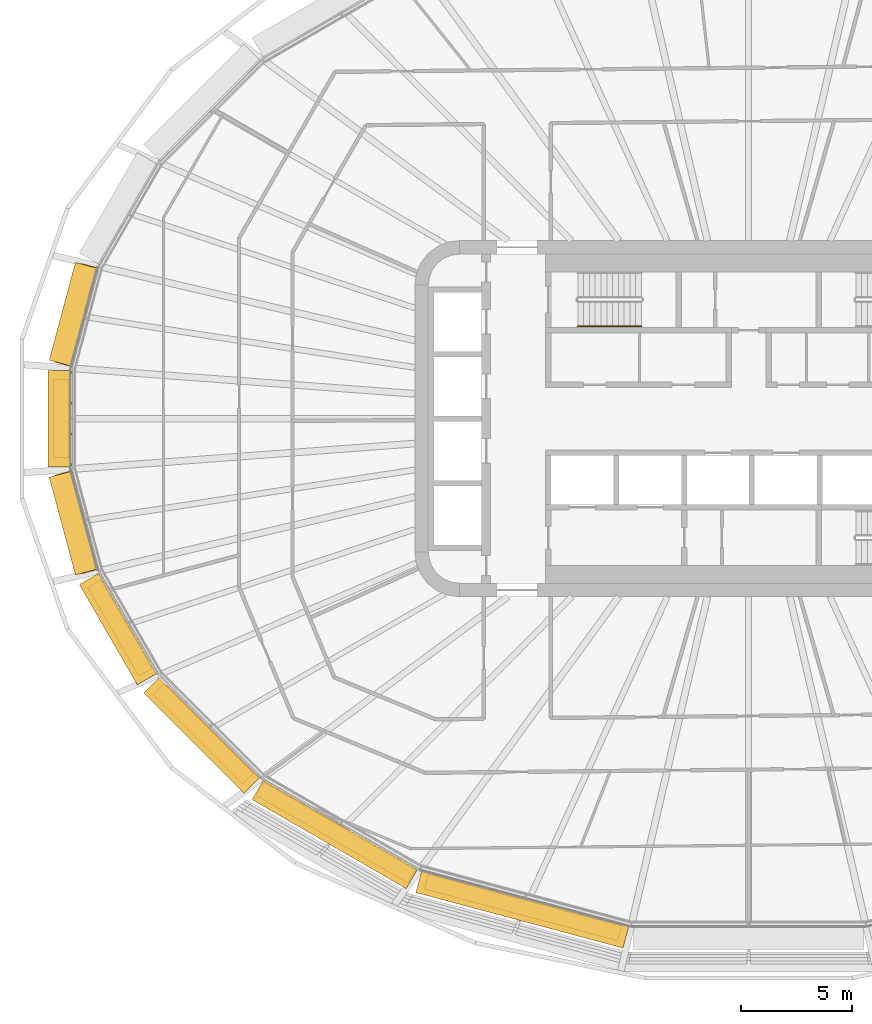
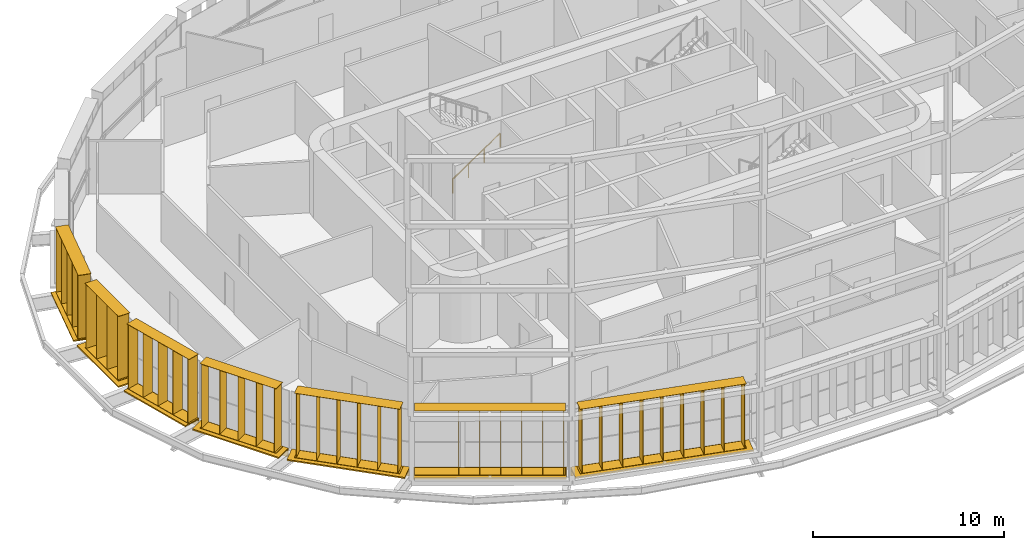
# One storey, part 18 of 23: 14 shading devices, 1 railing.
"""IFC4 building model written with IfcOpenShell, lengths in metres."""

from ifc_helpers import new_model, si_unit, direction, frame, origin, origin_2d, place, context, subcontext, project, spatial, rectangle, circle, extrude, material, type_object, element, save


model = new_model("IFC4")

# Units and contexts
model_context = context("Model", 3, precision=1e-05, world=origin(), true_north=direction((0.0, 1.0)))
body_context = subcontext(model_context, "Body", "Model", "MODEL_VIEW")
ifc_project = project(units=[si_unit("LENGTHUNIT", "METRE"), si_unit("AREAUNIT", "SQUARE_METRE"), si_unit("VOLUMEUNIT", "CUBIC_METRE"), si_unit("PLANEANGLEUNIT", "RADIAN"), si_unit("MASSUNIT", "GRAM", prefix="KILO")], contexts=[model_context])

# Site, building, storey
site_placement = place(None, origin())
site = spatial("IfcSite", under=ifc_project, at=site_placement, CompositionType="ELEMENT")
building_placement = place(site_placement, origin())
building = spatial("IfcBuilding", under=site, at=building_placement, Name="Sahrelin Media Tower", CompositionType="ELEMENT")
storey_placement = place(building_placement, frame((0.0, 0.0, 54.60009765625)))
storey = spatial("IfcBuildingStorey", under=building, at=storey_placement, Name="L08", CompositionType="ELEMENT", Elevation=54.60009765625)

# Shading devices
ifc_material_1 = material(Name="Champagne anodised aluminium 6063-T6", Category="aluminium")
shading_device_type_1 = type_object("IfcShadingDeviceType", Name="Fin cassette", PredefinedType="USERDEFINED", material=ifc_material_1)
placement_1 = place(storey_placement, frame((-29.859619140625, 4.562744140625, 0.0), z_axis=(0.0, 0.0, 1.0), x_axis=(0.258807731996, 0.965928857556, 0.0)))
element("IfcShadingDevice", 1, at=placement_1, inside=storey, type_object=shading_device_type_1, Name="L08:FIN:L08-11", ObjectType="FIN", PredefinedType="USERDEFINED", context=body_context, shape_type="SweptSolid", body=[
    extrude(rectangle(XDim=4.60009765625, YDim=0.699951171875, at=origin_2d()), frame((0.0, 0.419921875, 0.0)), (0.0, 0.0, 1.0), 0.02001953125),
    extrude(rectangle(XDim=4.60009765625, YDim=0.699951171875, at=origin_2d()), frame((0.0, 0.419921875, 4.10009765625)), (0.0, 0.0, 1.0), 0.02001953125),
    extrude(rectangle(XDim=0.02001953125, YDim=0.699951171875, at=origin_2d()), frame((-2.199951171875, 0.419921875, 0.010009765625), z_axis=(0.0, 0.0, 1.0), x_axis=(1.0, 0.0, 0.0)), (0.0, 0.0, 1.0), 4.10009765625),
    extrude(rectangle(XDim=0.02001953125, YDim=0.699951171875, at=origin_2d()), frame((-1.10009765625, 0.419921875, 0.010009765625), z_axis=(0.0, 0.0, 1.0), x_axis=(1.0, 0.0, 0.0)), (0.0, 0.0, 1.0), 4.10009765625),
    extrude(rectangle(XDim=0.02001953125, YDim=0.699951171875, at=origin_2d()), frame((0.0, 0.419921875, 0.010009765625), z_axis=(0.0, 0.0, 1.0), x_axis=(1.0, 0.0, 0.0)), (0.0, 0.0, 1.0), 4.10009765625),
    extrude(rectangle(XDim=0.02001953125, YDim=0.699951171875, at=origin_2d()), frame((1.10009765625, 0.419921875, 0.010009765625), z_axis=(0.0, 0.0, 1.0), x_axis=(1.0, 0.0, 0.0)), (0.0, 0.0, 1.0), 4.10009765625),
    extrude(rectangle(XDim=0.02001953125, YDim=0.699951171875, at=origin_2d()), frame((2.199951171875, 0.419921875, 0.010009765625), z_axis=(0.0, 0.0, 1.0), x_axis=(1.0, 0.0, 0.0)), (0.0, 0.0, 1.0), 4.10009765625),
])
placement_2 = place(storey_placement, frame((-30.47412109375, 0.0, 0.0), z_axis=(0.0, 0.0, 1.0), x_axis=(0.0, 1.0, 0.0)))
element("IfcShadingDevice", 2, at=placement_2, inside=storey, type_object=shading_device_type_1, Name="L08:FIN:L08-12", ObjectType="FIN", PredefinedType="USERDEFINED", context=body_context, shape_type="SweptSolid", body=[
    extrude(rectangle(XDim=3.5, YDim=0.699951171875, at=origin_2d()), frame((0.0, 0.419921875, 0.0)), (0.0, 0.0, 1.0), 0.02001953125),
    extrude(rectangle(XDim=3.5, YDim=0.699951171875, at=origin_2d()), frame((0.0, 0.419921875, 4.10009765625)), (0.0, 0.0, 1.0), 0.02001953125),
    extrude(rectangle(XDim=0.02001953125, YDim=0.699951171875, at=origin_2d()), frame((-1.64990234375, 0.419921875, 0.010009765625), z_axis=(0.0, 0.0, 1.0), x_axis=(1.0, 0.0, 0.0)), (0.0, 0.0, 1.0), 4.10009765625),
    extrude(rectangle(XDim=0.02001953125, YDim=0.699951171875, at=origin_2d()), frame((-0.550048828125, 0.419921875, 0.010009765625), z_axis=(0.0, 0.0, 1.0), x_axis=(1.0, 0.0, 0.0)), (0.0, 0.0, 1.0), 4.10009765625),
    extrude(rectangle(XDim=0.02001953125, YDim=0.699951171875, at=origin_2d()), frame((0.550048828125, 0.419921875, 0.010009765625), z_axis=(0.0, 0.0, 1.0), x_axis=(1.0, 0.0, 0.0)), (0.0, 0.0, 1.0), 4.10009765625),
    extrude(rectangle(XDim=0.02001953125, YDim=0.699951171875, at=origin_2d()), frame((1.64990234375, 0.419921875, 0.010009765625), z_axis=(0.0, 0.0, 1.0), x_axis=(1.0, 0.0, 0.0)), (0.0, 0.0, 1.0), 4.10009765625),
])
placement_3 = place(storey_placement, frame((-29.859619140625, -4.562744140625, 0.0), z_axis=(0.0, 0.0, 1.0), x_axis=(-0.258807731996, 0.965928857556, 0.0)))
element("IfcShadingDevice", 3, at=placement_3, inside=storey, type_object=shading_device_type_1, Name="L08:FIN:L08-13", ObjectType="FIN", PredefinedType="USERDEFINED", context=body_context, shape_type="SweptSolid", body=[
    extrude(rectangle(XDim=4.60009765625, YDim=0.699951171875, at=origin_2d()), frame((0.0, 0.419921875, 0.0)), (0.0, 0.0, 1.0), 0.02001953125),
    extrude(rectangle(XDim=4.60009765625, YDim=0.699951171875, at=origin_2d()), frame((0.0, 0.419921875, 4.10009765625)), (0.0, 0.0, 1.0), 0.02001953125),
    extrude(rectangle(XDim=0.02001953125, YDim=0.699951171875, at=origin_2d()), frame((-2.199951171875, 0.419921875, 0.010009765625), z_axis=(0.0, 0.0, 1.0), x_axis=(1.0, 0.0, 0.0)), (0.0, 0.0, 1.0), 4.10009765625),
    extrude(rectangle(XDim=0.02001953125, YDim=0.699951171875, at=origin_2d()), frame((-1.10009765625, 0.419921875, 0.010009765625), z_axis=(0.0, 0.0, 1.0), x_axis=(1.0, 0.0, 0.0)), (0.0, 0.0, 1.0), 4.10009765625),
    extrude(rectangle(XDim=0.02001953125, YDim=0.699951171875, at=origin_2d()), frame((0.0, 0.419921875, 0.010009765625), z_axis=(0.0, 0.0, 1.0), x_axis=(1.0, 0.0, 0.0)), (0.0, 0.0, 1.0), 4.10009765625),
    extrude(rectangle(XDim=0.02001953125, YDim=0.699951171875, at=origin_2d()), frame((1.10009765625, 0.419921875, 0.010009765625), z_axis=(0.0, 0.0, 1.0), x_axis=(1.0, 0.0, 0.0)), (0.0, 0.0, 1.0), 4.10009765625),
    extrude(rectangle(XDim=0.02001953125, YDim=0.699951171875, at=origin_2d()), frame((2.199951171875, 0.419921875, 0.010009765625), z_axis=(0.0, 0.0, 1.0), x_axis=(1.0, 0.0, 0.0)), (0.0, 0.0, 1.0), 4.10009765625),
])
placement_4 = place(storey_placement, frame((-27.893798828125, -9.196533203125, 0.0), z_axis=(0.0, 0.0, 1.0), x_axis=(-0.500011000363, 0.866019052629, 0.0)))
element("IfcShadingDevice", 4, at=placement_4, inside=storey, type_object=shading_device_type_1, Name="L08:FIN:L08-14", ObjectType="FIN", PredefinedType="USERDEFINED", context=body_context, shape_type="SweptSolid", body=[
    extrude(rectangle(XDim=4.60009765625, YDim=0.699951171875, at=origin_2d()), frame((0.0, 0.419921875, 0.0)), (0.0, 0.0, 1.0), 0.02001953125),
    extrude(rectangle(XDim=4.60009765625, YDim=0.699951171875, at=origin_2d()), frame((0.0, 0.419921875, 4.10009765625)), (0.0, 0.0, 1.0), 0.02001953125),
    extrude(rectangle(XDim=0.02001953125, YDim=0.699951171875, at=origin_2d()), frame((-2.199951171875, 0.419921875, 0.010009765625), z_axis=(0.0, 0.0, 1.0), x_axis=(1.0, 0.0, 0.0)), (0.0, 0.0, 1.0), 4.10009765625),
    extrude(rectangle(XDim=0.02001953125, YDim=0.699951171875, at=origin_2d()), frame((-1.10009765625, 0.419921875, 0.010009765625), z_axis=(0.0, 0.0, 1.0), x_axis=(1.0, 0.0, 0.0)), (0.0, 0.0, 1.0), 4.10009765625),
    extrude(rectangle(XDim=0.02001953125, YDim=0.699951171875, at=origin_2d()), frame((0.0, 0.419921875, 0.010009765625), z_axis=(0.0, 0.0, 1.0), x_axis=(1.0, 0.0, 0.0)), (0.0, 0.0, 1.0), 4.10009765625),
    extrude(rectangle(XDim=0.02001953125, YDim=0.699951171875, at=origin_2d()), frame((1.10009765625, 0.419921875, 0.010009765625), z_axis=(0.0, 0.0, 1.0), x_axis=(1.0, 0.0, 0.0)), (0.0, 0.0, 1.0), 4.10009765625),
    extrude(rectangle(XDim=0.02001953125, YDim=0.699951171875, at=origin_2d()), frame((2.199951171875, 0.419921875, 0.010009765625), z_axis=(0.0, 0.0, 1.0), x_axis=(1.0, 0.0, 0.0)), (0.0, 0.0, 1.0), 4.10009765625),
])
placement_5 = place(storey_placement, frame((-24.218017578125, -13.861328125, 0.0), z_axis=(0.0, 0.0, 1.0), x_axis=(-0.707106781187, 0.707106781187, 0.0)))
element("IfcShadingDevice", 5, at=placement_5, inside=storey, type_object=shading_device_type_1, Name="L08:FIN:L08-15", ObjectType="FIN", PredefinedType="USERDEFINED", context=body_context, shape_type="SweptSolid", body=[
    extrude(rectangle(XDim=5.699951171875, YDim=0.699951171875, at=origin_2d()), frame((0.0, 0.419921875, 0.0)), (0.0, 0.0, 1.0), 0.02001953125),
    extrude(rectangle(XDim=5.699951171875, YDim=0.699951171875, at=origin_2d()), frame((0.0, 0.419921875, 4.10009765625)), (0.0, 0.0, 1.0), 0.02001953125),
    extrude(rectangle(XDim=0.02001953125, YDim=0.699951171875, at=origin_2d()), frame((-2.75, 0.419921875, 0.010009765625), z_axis=(0.0, 0.0, 1.0), x_axis=(1.0, 0.0, 0.0)), (0.0, 0.0, 1.0), 4.10009765625),
    extrude(rectangle(XDim=0.02001953125, YDim=0.699951171875, at=origin_2d()), frame((-1.64990234375, 0.419921875, 0.010009765625), z_axis=(0.0, 0.0, 1.0), x_axis=(1.0, 0.0, 0.0)), (0.0, 0.0, 1.0), 4.10009765625),
    extrude(rectangle(XDim=0.02001953125, YDim=0.699951171875, at=origin_2d()), frame((-0.550048828125, 0.419921875, 0.010009765625), z_axis=(0.0, 0.0, 1.0), x_axis=(1.0, 0.0, 0.0)), (0.0, 0.0, 1.0), 4.10009765625),
    extrude(rectangle(XDim=0.02001953125, YDim=0.699951171875, at=origin_2d()), frame((0.550048828125, 0.419921875, 0.010009765625), z_axis=(0.0, 0.0, 1.0), x_axis=(1.0, 0.0, 0.0)), (0.0, 0.0, 1.0), 4.10009765625),
    extrude(rectangle(XDim=0.02001953125, YDim=0.699951171875, at=origin_2d()), frame((1.64990234375, 0.419921875, 0.010009765625), z_axis=(0.0, 0.0, 1.0), x_axis=(1.0, 0.0, 0.0)), (0.0, 0.0, 1.0), 4.10009765625),
    extrude(rectangle(XDim=0.02001953125, YDim=0.699951171875, at=origin_2d()), frame((2.75, 0.419921875, 0.010009765625), z_axis=(0.0, 0.0, 1.0), x_axis=(1.0, 0.0, 0.0)), (0.0, 0.0, 1.0), 4.10009765625),
])
placement_6 = place(storey_placement, frame((-18.342041015625, -18.236328125, 0.0), z_axis=(0.0, 0.0, 1.0), x_axis=(-0.866019052629, 0.500011000363, 0.0)))
element("IfcShadingDevice", 6, at=placement_6, inside=storey, type_object=shading_device_type_1, Name="L08:FIN:L08-16", ObjectType="FIN", PredefinedType="USERDEFINED", context=body_context, shape_type="SweptSolid", body=[
    extrude(rectangle(XDim=7.89990234375, YDim=0.699951171875, at=origin_2d()), frame((0.0, 0.419921875, 0.0)), (0.0, 0.0, 1.0), 0.02001953125),
    extrude(rectangle(XDim=7.89990234375, YDim=0.699951171875, at=origin_2d()), frame((0.0, 0.419921875, 4.10009765625)), (0.0, 0.0, 1.0), 0.02001953125),
    extrude(rectangle(XDim=0.02001953125, YDim=0.699951171875, at=origin_2d()), frame((-3.85009765625, 0.419921875, 0.010009765625), z_axis=(0.0, 0.0, 1.0), x_axis=(1.0, 0.0, 0.0)), (0.0, 0.0, 1.0), 4.10009765625),
    extrude(rectangle(XDim=0.02001953125, YDim=0.699951171875, at=origin_2d()), frame((-2.75, 0.419921875, 0.010009765625), z_axis=(0.0, 0.0, 1.0), x_axis=(1.0, 0.0, 0.0)), (0.0, 0.0, 1.0), 4.10009765625),
    extrude(rectangle(XDim=0.02001953125, YDim=0.699951171875, at=origin_2d()), frame((-1.64990234375, 0.419921875, 0.010009765625), z_axis=(0.0, 0.0, 1.0), x_axis=(1.0, 0.0, 0.0)), (0.0, 0.0, 1.0), 4.10009765625),
    extrude(rectangle(XDim=0.02001953125, YDim=0.699951171875, at=origin_2d()), frame((-0.550048828125, 0.419921875, 0.010009765625), z_axis=(0.0, 0.0, 1.0), x_axis=(1.0, 0.0, 0.0)), (0.0, 0.0, 1.0), 4.10009765625),
    extrude(rectangle(XDim=0.02001953125, YDim=0.699951171875, at=origin_2d()), frame((0.550048828125, 0.419921875, 0.010009765625), z_axis=(0.0, 0.0, 1.0), x_axis=(1.0, 0.0, 0.0)), (0.0, 0.0, 1.0), 4.10009765625),
    extrude(rectangle(XDim=0.02001953125, YDim=0.699951171875, at=origin_2d()), frame((1.64990234375, 0.419921875, 0.010009765625), z_axis=(0.0, 0.0, 1.0), x_axis=(1.0, 0.0, 0.0)), (0.0, 0.0, 1.0), 4.10009765625),
    extrude(rectangle(XDim=0.02001953125, YDim=0.699951171875, at=origin_2d()), frame((2.75, 0.419921875, 0.010009765625), z_axis=(0.0, 0.0, 1.0), x_axis=(1.0, 0.0, 0.0)), (0.0, 0.0, 1.0), 4.10009765625),
    extrude(rectangle(XDim=0.02001953125, YDim=0.699951171875, at=origin_2d()), frame((3.85009765625, 0.419921875, 0.010009765625), z_axis=(0.0, 0.0, 1.0), x_axis=(1.0, 0.0, 0.0)), (0.0, 0.0, 1.0), 4.10009765625),
])
placement_7 = place(storey_placement, frame((-10.03759765625, -21.560302734375, 0.0), z_axis=(0.0, 0.0, 1.0), x_axis=(-0.965928857556, 0.258807731996, 0.0)))
element("IfcShadingDevice", 7, at=placement_7, inside=storey, type_object=shading_device_type_1, Name="L08:FIN:L08-17", ObjectType="FIN", PredefinedType="USERDEFINED", context=body_context, shape_type="SweptSolid", body=[
    extrude(rectangle(XDim=9.0, YDim=0.699951171875, at=origin_2d()), frame((0.0, 0.419921875, 0.0)), (0.0, 0.0, 1.0), 0.02001953125),
    extrude(rectangle(XDim=9.0, YDim=0.699951171875, at=origin_2d()), frame((0.0, 0.419921875, 4.10009765625)), (0.0, 0.0, 1.0), 0.02001953125),
    extrude(rectangle(XDim=0.02001953125, YDim=0.699951171875, at=origin_2d()), frame((-4.39990234375, 0.419921875, 0.010009765625), z_axis=(0.0, 0.0, 1.0), x_axis=(1.0, 0.0, 0.0)), (0.0, 0.0, 1.0), 4.10009765625),
    extrude(rectangle(XDim=0.02001953125, YDim=0.699951171875, at=origin_2d()), frame((-3.300048828125, 0.419921875, 0.010009765625), z_axis=(0.0, 0.0, 1.0), x_axis=(1.0, 0.0, 0.0)), (0.0, 0.0, 1.0), 4.10009765625),
    extrude(rectangle(XDim=0.02001953125, YDim=0.699951171875, at=origin_2d()), frame((-2.199951171875, 0.419921875, 0.010009765625), z_axis=(0.0, 0.0, 1.0), x_axis=(1.0, 0.0, 0.0)), (0.0, 0.0, 1.0), 4.10009765625),
    extrude(rectangle(XDim=0.02001953125, YDim=0.699951171875, at=origin_2d()), frame((-1.10009765625, 0.419921875, 0.010009765625), z_axis=(0.0, 0.0, 1.0), x_axis=(1.0, 0.0, 0.0)), (0.0, 0.0, 1.0), 4.10009765625),
    extrude(rectangle(XDim=0.02001953125, YDim=0.699951171875, at=origin_2d()), frame((0.0, 0.419921875, 0.010009765625), z_axis=(0.0, 0.0, 1.0), x_axis=(1.0, 0.0, 0.0)), (0.0, 0.0, 1.0), 4.10009765625),
    extrude(rectangle(XDim=0.02001953125, YDim=0.699951171875, at=origin_2d()), frame((1.10009765625, 0.419921875, 0.010009765625), z_axis=(0.0, 0.0, 1.0), x_axis=(1.0, 0.0, 0.0)), (0.0, 0.0, 1.0), 4.10009765625),
    extrude(rectangle(XDim=0.02001953125, YDim=0.699951171875, at=origin_2d()), frame((2.199951171875, 0.419921875, 0.010009765625), z_axis=(0.0, 0.0, 1.0), x_axis=(1.0, 0.0, 0.0)), (0.0, 0.0, 1.0), 4.10009765625),
    extrude(rectangle(XDim=0.02001953125, YDim=0.699951171875, at=origin_2d()), frame((3.300048828125, 0.419921875, 0.010009765625), z_axis=(0.0, 0.0, 1.0), x_axis=(1.0, 0.0, 0.0)), (0.0, 0.0, 1.0), 4.10009765625),
    extrude(rectangle(XDim=0.02001953125, YDim=0.699951171875, at=origin_2d()), frame((4.39990234375, 0.419921875, 0.010009765625), z_axis=(0.0, 0.0, 1.0), x_axis=(1.0, 0.0, 0.0)), (0.0, 0.0, 1.0), 4.10009765625),
])

# Railing
ifc_material_2 = material(Name="Steel S355", Category="steel")
railing_type = type_object("IfcRailingType", Name="Stair handrail 900", PredefinedType="HANDRAIL", material=ifc_material_2)
railing_placement = place(storey_placement, frame((-7.675048828125, 4.14990234375, 0.1748046875)))
element("IfcRailing", 8, at=railing_placement, inside=storey, type_object=railing_type, Name="L08 ST1 stair handrail 1", PredefinedType="HANDRAIL", context=body_context, shape_type="SweptSolid", body=[
    extrude(circle(Radius=0.02392578125, at=origin_2d()), frame((0.0, 0.0, 0.8759765625), z_axis=(0.829590901723, 0.0, 0.558371682465), x_axis=(0.0, 1.0, 0.0)), (0.0, 0.0, 1.0), 3.447509765625),
    extrude(circle(Radius=0.02099609375, at=origin_2d()), origin(), (0.0, 0.0, 1.0), 0.851806640625),
    extrude(circle(Radius=0.02099609375, at=origin_2d()), frame((0.953369140625, 0.0, 0.6416015625)), (0.0, 0.0, 1.0), 0.851806640625),
    extrude(circle(Radius=0.02099609375, at=origin_2d()), frame((1.90673828125, 0.0, 1.283447265625)), (0.0, 0.0, 1.0), 0.851806640625),
    extrude(circle(Radius=0.02099609375, at=origin_2d()), frame((2.860107421875, 0.0, 1.925048828125)), (0.0, 0.0, 1.0), 0.851806640625),
])

# Shading devices
shading_device_type_2 = type_object("IfcShadingDeviceType", Name="Sunshade band", PredefinedType="USERDEFINED", material=ifc_material_1)
element("IfcShadingDevice", 9, at=placement_1, inside=storey, type_object=shading_device_type_2, Name="L08:SUN:L08-11", ObjectType="SUNSHADE", PredefinedType="USERDEFINED", context=body_context, shape_type="SweptSolid", body=[
    extrude(rectangle(XDim=4.548095703125, YDim=0.050048828125, at=origin_2d()), frame((0.0, 0.044921875, -0.55126953125)), (0.0, 0.0, 1.0), 0.471435546875),
    extrude(rectangle(XDim=4.548095703125, YDim=1.0, at=origin_2d()), frame((0.0, 0.52001953125, -0.080078125)), (0.0, 0.0, 1.0), 0.080078125),
    extrude(rectangle(XDim=0.10009765625, YDim=0.074951171875, at=origin_2d()), frame((-2.174072265625, -0.017578125, -0.47021484375)), (0.0, 0.0, 1.0), 0.300048828125),
    extrude(rectangle(XDim=0.10009765625, YDim=0.074951171875, at=origin_2d()), frame((-0.724609375, -0.017578125, -0.47021484375)), (0.0, 0.0, 1.0), 0.300048828125),
    extrude(rectangle(XDim=0.10009765625, YDim=0.074951171875, at=origin_2d()), frame((0.724609375, -0.017578125, -0.47021484375)), (0.0, 0.0, 1.0), 0.300048828125),
    extrude(rectangle(XDim=0.10009765625, YDim=0.074951171875, at=origin_2d()), frame((2.174072265625, -0.017578125, -0.47021484375)), (0.0, 0.0, 1.0), 0.300048828125),
])
element("IfcShadingDevice", 10, at=placement_2, inside=storey, type_object=shading_device_type_2, Name="L08:SUN:L08-12", ObjectType="SUNSHADE", PredefinedType="USERDEFINED", context=body_context, shape_type="SweptSolid", body=[
    extrude(rectangle(XDim=4.339111328125, YDim=0.050048828125, at=origin_2d()), frame((0.0, 0.044921875, -0.55126953125)), (0.0, 0.0, 1.0), 0.471435546875),
    extrude(rectangle(XDim=4.339111328125, YDim=1.0, at=origin_2d()), frame((0.0, 0.52001953125, -0.080078125)), (0.0, 0.0, 1.0), 0.080078125),
    extrude(rectangle(XDim=0.10009765625, YDim=0.074951171875, at=origin_2d()), frame((-2.069580078125, -0.017578125, -0.47021484375)), (0.0, 0.0, 1.0), 0.300048828125),
    extrude(rectangle(XDim=0.10009765625, YDim=0.074951171875, at=origin_2d()), frame((-0.68994140625, -0.017578125, -0.47021484375)), (0.0, 0.0, 1.0), 0.300048828125),
    extrude(rectangle(XDim=0.10009765625, YDim=0.074951171875, at=origin_2d()), frame((0.68994140625, -0.017578125, -0.47021484375)), (0.0, 0.0, 1.0), 0.300048828125),
    extrude(rectangle(XDim=0.10009765625, YDim=0.074951171875, at=origin_2d()), frame((2.069580078125, -0.017578125, -0.47021484375)), (0.0, 0.0, 1.0), 0.300048828125),
])
element("IfcShadingDevice", 11, at=placement_3, inside=storey, type_object=shading_device_type_2, Name="L08:SUN:L08-13", ObjectType="SUNSHADE", PredefinedType="USERDEFINED", context=body_context, shape_type="SweptSolid", body=[
    extrude(rectangle(XDim=4.548095703125, YDim=0.050048828125, at=origin_2d()), frame((0.0, 0.044921875, -0.55126953125)), (0.0, 0.0, 1.0), 0.471435546875),
    extrude(rectangle(XDim=4.548095703125, YDim=1.0, at=origin_2d()), frame((0.0, 0.52001953125, -0.080078125)), (0.0, 0.0, 1.0), 0.080078125),
    extrude(rectangle(XDim=0.10009765625, YDim=0.074951171875, at=origin_2d()), frame((-2.174072265625, -0.017578125, -0.47021484375)), (0.0, 0.0, 1.0), 0.300048828125),
    extrude(rectangle(XDim=0.10009765625, YDim=0.074951171875, at=origin_2d()), frame((-0.724609375, -0.017578125, -0.47021484375)), (0.0, 0.0, 1.0), 0.300048828125),
    extrude(rectangle(XDim=0.10009765625, YDim=0.074951171875, at=origin_2d()), frame((0.724609375, -0.017578125, -0.47021484375)), (0.0, 0.0, 1.0), 0.300048828125),
    extrude(rectangle(XDim=0.10009765625, YDim=0.074951171875, at=origin_2d()), frame((2.174072265625, -0.017578125, -0.47021484375)), (0.0, 0.0, 1.0), 0.300048828125),
])
element("IfcShadingDevice", 12, at=placement_4, inside=storey, type_object=shading_device_type_2, Name="L08:SUN:L08-14", ObjectType="SUNSHADE", PredefinedType="USERDEFINED", context=body_context, shape_type="SweptSolid", body=[
    extrude(rectangle(XDim=5.205810546875, YDim=0.050048828125, at=origin_2d()), frame((0.0, 0.044921875, -0.55126953125)), (0.0, 0.0, 1.0), 0.471435546875),
    extrude(rectangle(XDim=5.205810546875, YDim=1.0, at=origin_2d()), frame((0.0, 0.52001953125, -0.080078125)), (0.0, 0.0, 1.0), 0.080078125),
    extrude(rectangle(XDim=0.10009765625, YDim=0.074951171875, at=origin_2d()), frame((-2.502685546875, -0.017578125, -0.47021484375)), (0.0, 0.0, 1.0), 0.300048828125),
    extrude(rectangle(XDim=0.10009765625, YDim=0.074951171875, at=origin_2d()), frame((-0.834228515625, -0.017578125, -0.47021484375)), (0.0, 0.0, 1.0), 0.300048828125),
    extrude(rectangle(XDim=0.10009765625, YDim=0.074951171875, at=origin_2d()), frame((0.834228515625, -0.017578125, -0.47021484375)), (0.0, 0.0, 1.0), 0.300048828125),
    extrude(rectangle(XDim=0.10009765625, YDim=0.074951171875, at=origin_2d()), frame((2.502685546875, -0.017578125, -0.47021484375)), (0.0, 0.0, 1.0), 0.300048828125),
])
element("IfcShadingDevice", 13, at=placement_5, inside=storey, type_object=shading_device_type_2, Name="L08:SUN:L08-15", ObjectType="SUNSHADE", PredefinedType="USERDEFINED", context=body_context, shape_type="SweptSolid", body=[
    extrude(rectangle(XDim=6.373779296875, YDim=0.050048828125, at=origin_2d()), frame((0.0, 0.044921875, -0.55126953125)), (0.0, 0.0, 1.0), 0.471435546875),
    extrude(rectangle(XDim=6.373779296875, YDim=1.0, at=origin_2d()), frame((0.0, 0.52001953125, -0.080078125)), (0.0, 0.0, 1.0), 0.080078125),
    extrude(rectangle(XDim=0.10009765625, YDim=0.074951171875, at=origin_2d()), frame((-3.0869140625, -0.017578125, -0.47021484375)), (0.0, 0.0, 1.0), 0.300048828125),
    extrude(rectangle(XDim=0.10009765625, YDim=0.074951171875, at=origin_2d()), frame((-1.54345703125, -0.017578125, -0.47021484375)), (0.0, 0.0, 1.0), 0.300048828125),
    extrude(rectangle(XDim=0.10009765625, YDim=0.074951171875, at=origin_2d()), frame((0.0, -0.017578125, -0.47021484375)), (0.0, 0.0, 1.0), 0.300048828125),
    extrude(rectangle(XDim=0.10009765625, YDim=0.074951171875, at=origin_2d()), frame((1.54345703125, -0.017578125, -0.47021484375)), (0.0, 0.0, 1.0), 0.300048828125),
    extrude(rectangle(XDim=0.10009765625, YDim=0.074951171875, at=origin_2d()), frame((3.0869140625, -0.017578125, -0.47021484375)), (0.0, 0.0, 1.0), 0.300048828125),
])
element("IfcShadingDevice", 14, at=placement_6, inside=storey, type_object=shading_device_type_2, Name="L08:SUN:L08-16", ObjectType="SUNSHADE", PredefinedType="USERDEFINED", context=body_context, shape_type="SweptSolid", body=[
    extrude(rectangle(XDim=8.0029296875, YDim=0.050048828125, at=origin_2d()), frame((0.0, 0.044921875, -0.55126953125)), (0.0, 0.0, 1.0), 0.471435546875),
    extrude(rectangle(XDim=8.0029296875, YDim=1.0, at=origin_2d()), frame((0.0, 0.52001953125, -0.080078125)), (0.0, 0.0, 1.0), 0.080078125),
    extrude(rectangle(XDim=0.10009765625, YDim=0.074951171875, at=origin_2d()), frame((-3.9013671875, -0.017578125, -0.47021484375)), (0.0, 0.0, 1.0), 0.300048828125),
    extrude(rectangle(XDim=0.10009765625, YDim=0.074951171875, at=origin_2d()), frame((-2.3408203125, -0.017578125, -0.47021484375)), (0.0, 0.0, 1.0), 0.300048828125),
    extrude(rectangle(XDim=0.10009765625, YDim=0.074951171875, at=origin_2d()), frame((-0.7802734375, -0.017578125, -0.47021484375)), (0.0, 0.0, 1.0), 0.300048828125),
    extrude(rectangle(XDim=0.10009765625, YDim=0.074951171875, at=origin_2d()), frame((0.7802734375, -0.017578125, -0.47021484375)), (0.0, 0.0, 1.0), 0.300048828125),
    extrude(rectangle(XDim=0.10009765625, YDim=0.074951171875, at=origin_2d()), frame((2.3408203125, -0.017578125, -0.47021484375)), (0.0, 0.0, 1.0), 0.300048828125),
    extrude(rectangle(XDim=0.10009765625, YDim=0.074951171875, at=origin_2d()), frame((3.9013671875, -0.017578125, -0.47021484375)), (0.0, 0.0, 1.0), 0.300048828125),
])
element("IfcShadingDevice", 15, at=placement_7, inside=storey, type_object=shading_device_type_2, Name="L08:SUN:L08-17", ObjectType="SUNSHADE", PredefinedType="USERDEFINED", context=body_context, shape_type="SweptSolid", body=[
    extrude(rectangle(XDim=9.640380859375, YDim=0.050048828125, at=origin_2d()), frame((0.0, 0.044921875, -0.55126953125)), (0.0, 0.0, 1.0), 0.471435546875),
    extrude(rectangle(XDim=9.640380859375, YDim=1.0, at=origin_2d()), frame((0.0, 0.52001953125, -0.080078125)), (0.0, 0.0, 1.0), 0.080078125),
    extrude(rectangle(XDim=0.10009765625, YDim=0.074951171875, at=origin_2d()), frame((-4.72021484375, -0.017578125, -0.47021484375)), (0.0, 0.0, 1.0), 0.300048828125),
    extrude(rectangle(XDim=0.10009765625, YDim=0.074951171875, at=origin_2d()), frame((-2.832275390625, -0.017578125, -0.47021484375)), (0.0, 0.0, 1.0), 0.300048828125),
    extrude(rectangle(XDim=0.10009765625, YDim=0.074951171875, at=origin_2d()), frame((-0.944091796875, -0.017578125, -0.47021484375)), (0.0, 0.0, 1.0), 0.300048828125),
    extrude(rectangle(XDim=0.10009765625, YDim=0.074951171875, at=origin_2d()), frame((0.944091796875, -0.017578125, -0.47021484375)), (0.0, 0.0, 1.0), 0.300048828125),
    extrude(rectangle(XDim=0.10009765625, YDim=0.074951171875, at=origin_2d()), frame((2.832275390625, -0.017578125, -0.47021484375)), (0.0, 0.0, 1.0), 0.300048828125),
    extrude(rectangle(XDim=0.10009765625, YDim=0.074951171875, at=origin_2d()), frame((4.72021484375, -0.017578125, -0.47021484375)), (0.0, 0.0, 1.0), 0.300048828125),
])

save(model, "model.ifc")
